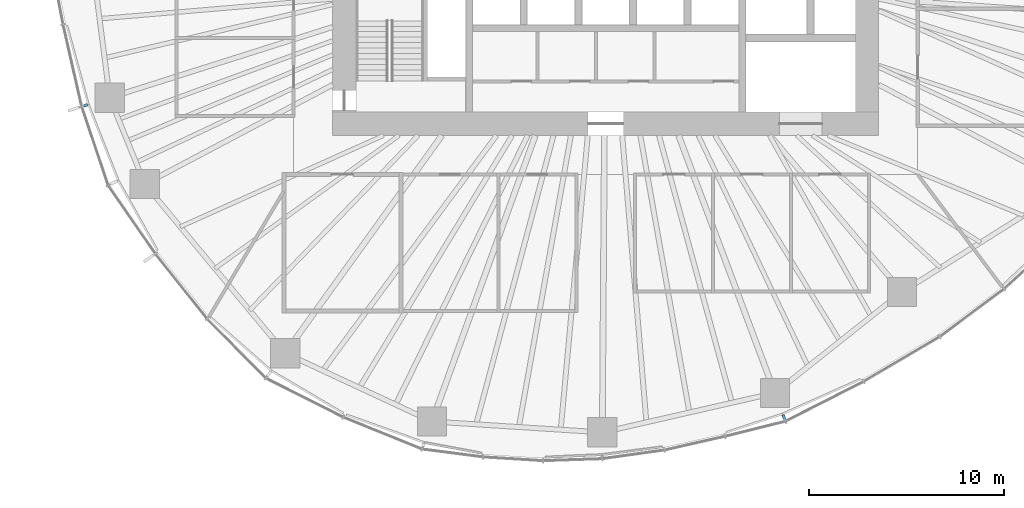
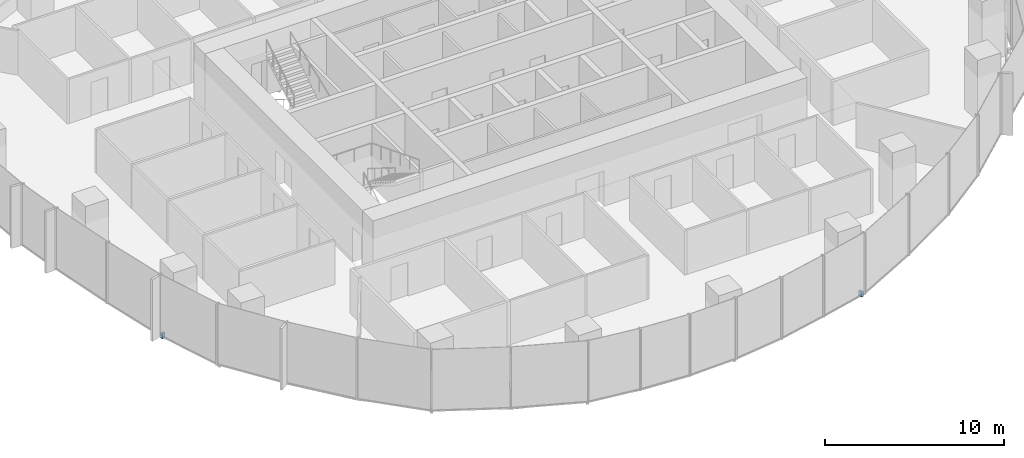
# One storey, part 13 of 18: 2 discrete accessories.
"""IFC4 building model written with IfcOpenShell, lengths in metres."""

from ifc_helpers import new_model, si_unit, direction, frame, origin, origin_2d, place, context, subcontext, project, spatial, rectangle, extrude, material, type_object, element, save


model = new_model("IFC4")

# Units and contexts
model_context = context("Model", 3, precision=1e-05, world=origin(), true_north=direction((0.0, 1.0)))
body_context = subcontext(model_context, "Body", "Model", "MODEL_VIEW")
ifc_project = project(units=[si_unit("LENGTHUNIT", "METRE"), si_unit("AREAUNIT", "SQUARE_METRE"), si_unit("VOLUMEUNIT", "CUBIC_METRE"), si_unit("PLANEANGLEUNIT", "RADIAN"), si_unit("MASSUNIT", "GRAM", prefix="KILO")], contexts=[model_context])

# Site, building, storey
site_placement = place(None, origin())
site = spatial("IfcSite", under=ifc_project, at=site_placement, CompositionType="ELEMENT")
building_placement = place(site_placement, origin())
building = spatial("IfcBuilding", under=site, at=building_placement, Name="Ghaith Harvest Tower", CompositionType="ELEMENT")
storey_placement = place(building_placement, frame((0.0, 0.0, 113.39990234375)))
storey = spatial("IfcBuildingStorey", under=building, at=storey_placement, Name="L23", CompositionType="ELEMENT", Elevation=113.39990234375)

# Discrete accessories
ifc_material_1 = material(Name="Stainless steel grade 1.4401", Category="steel")
discrete_accessory_type_1 = type_object("IfcDiscreteAccessoryType", Name="CURTAIN WALL BRACKET 205", PredefinedType="BRACKET", material=ifc_material_1)
discrete_accessory_1_placement = place(storey_placement, frame((-26.673095703125, -8.453125, -0.25), z_axis=(0.0, 0.0, 1.0), x_axis=(-0.953273219416, -0.302109531701, 0.0)))
element("IfcDiscreteAccessory", 1, at=discrete_accessory_1_placement, inside=storey, type_object=discrete_accessory_type_1, Name="CW-L bracket 1 bay 12 L23", PredefinedType="BRACKET", context=body_context, shape_type="SweptSolid", body=[
    extrude(rectangle(XDim=0.205078125, YDim=0.14990234375, at=origin_2d()), origin(), (0.0, 0.0, 1.0), 0.35009765625),
])
ifc_material_2 = material(Name="Stainless steel grade 1.4401", Category="steel")
discrete_accessory_type_2 = type_object("IfcDiscreteAccessoryType", Name="CURTAIN WALL BRACKET 245", PredefinedType="BRACKET", material=ifc_material_2)
discrete_accessory_2_placement = place(storey_placement, frame((9.135498046875, -24.436767578125, -0.25), z_axis=(0.0, 0.0, 1.0), x_axis=(0.35016769691, -0.93668702566, 0.0)))
element("IfcDiscreteAccessory", 2, at=discrete_accessory_2_placement, inside=storey, type_object=discrete_accessory_type_2, Name="CW-L bracket 1 bay 17 L23", PredefinedType="BRACKET", context=body_context, shape_type="SweptSolid", body=[
    extrude(rectangle(XDim=0.2451171875, YDim=0.14990234375, at=origin_2d()), origin(), (0.0, 0.0, 1.0), 0.35009765625),
])

save(model, "model.ifc")
